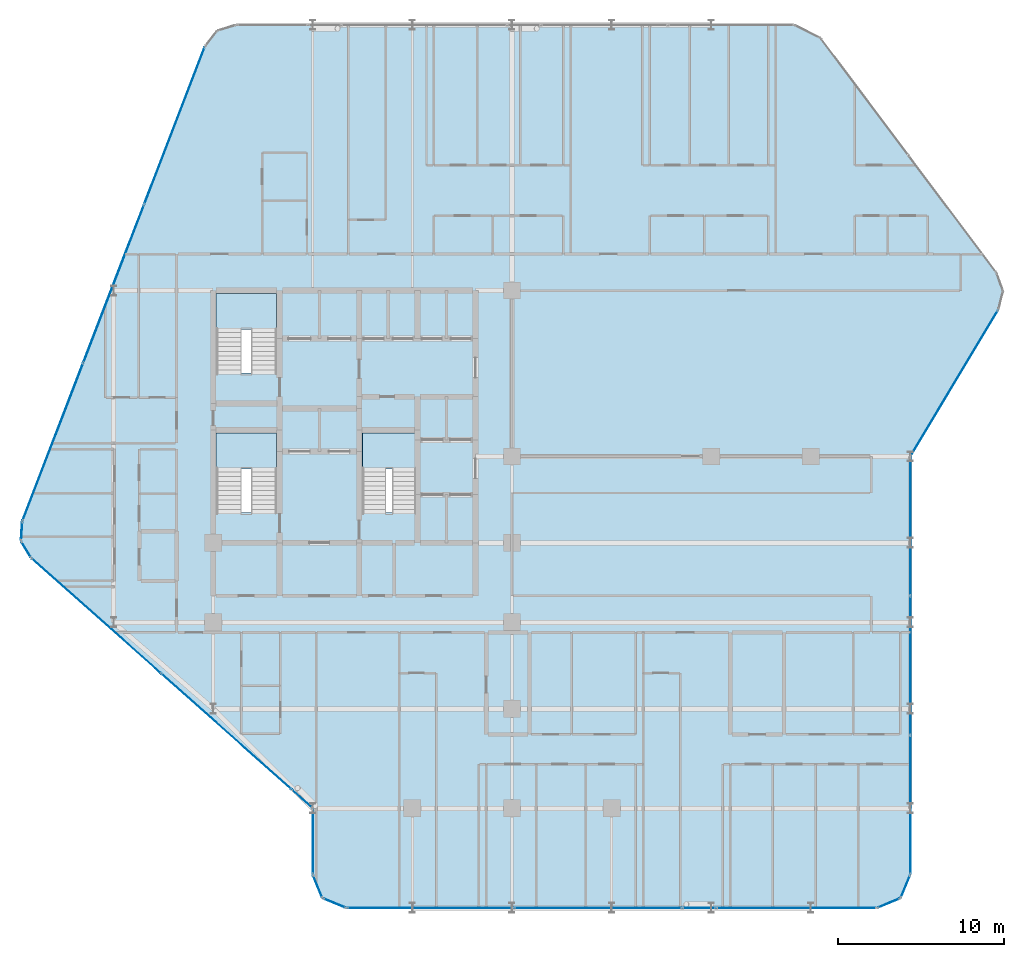
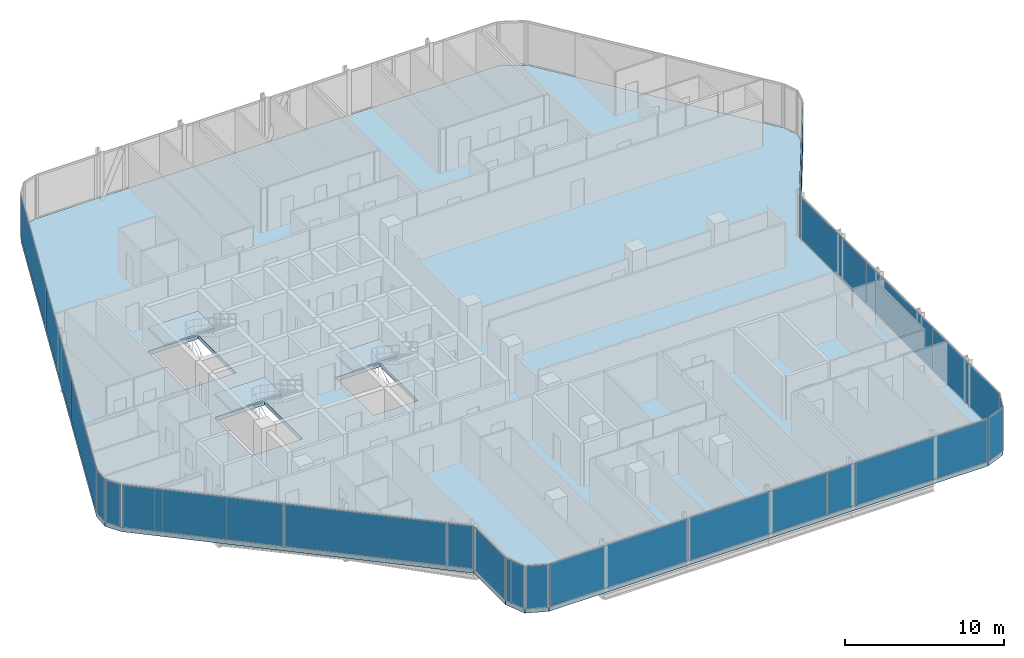
# One storey, part 21 of 29: 21 plates, 4 slabs, 18 elements without a shape of their own.
"""IFC4 building model written with IfcOpenShell, lengths in metres."""

from ifc_helpers import new_model, si_unit, direction, frame, origin, origin_2d, place, context, subcontext, project, spatial, polyline, rectangle, outline, extrude, material, layer, layer_set, type_object, element, aggregate, save


model = new_model("IFC4")

# Units and contexts
model_context = context("Model", 3, precision=1e-05, world=origin(), true_north=direction((0.0, 1.0)))
body_context = subcontext(model_context, "Body", "Model", "MODEL_VIEW")
ifc_project = project(units=[si_unit("LENGTHUNIT", "METRE"), si_unit("AREAUNIT", "SQUARE_METRE"), si_unit("VOLUMEUNIT", "CUBIC_METRE"), si_unit("PLANEANGLEUNIT", "RADIAN"), si_unit("MASSUNIT", "GRAM", prefix="KILO")], contexts=[model_context])

# Site, building, storey
site_placement = place(None, origin())
site = spatial("IfcSite", under=ifc_project, at=site_placement, CompositionType="ELEMENT")
building_placement = place(site_placement, origin())
building = spatial("IfcBuilding", under=site, at=building_placement, Name="Keshet Zoharim Tower", CompositionType="ELEMENT")
storey_placement = place(building_placement, frame((0.0, 0.0, 105.699951171875)))
storey = spatial("IfcBuildingStorey", under=building, at=storey_placement, Name="L25", CompositionType="ELEMENT", Elevation=105.699951171875)

# Curtain wall, plate
ifc_material_1 = material(Name="Aluminium 6063-T6", Category="aluminium")
ifc_layer_1 = layer(ifc_material_1, 0.159912109375)
ifc_layer_set_1 = layer_set([ifc_layer_1], Name="Aluminium 6063-T6")
curtain_wall_type = type_object("IfcCurtainWallType", Name="CW-SYS-03", PredefinedType="NOTDEFINED", material=ifc_layer_set_1)
curtain_wall_1_placement = place(storey_placement, origin())
curtain_wall_1 = element("IfcCurtainWall", 1, at=curtain_wall_1_placement, inside=storey, type_object=curtain_wall_type, Name="L25 Unitised Curtain Wall 01", PredefinedType="NOTDEFINED")
ifc_material_2 = material(Name="Insulated Low-E Clear Glass", Category="glass")
ifc_layer_2 = layer(ifc_material_2, 0.035888671875)
ifc_layer_set_2 = layer_set([ifc_layer_2], Name="Insulated Low-E Clear Glass")
plate_type_1 = type_object("IfcPlateType", Name="CWP-01", PredefinedType="CURTAIN_PANEL", material=ifc_layer_set_2)
plate_1_placement = place(storey_placement, frame((56.70703125, 1.992919921875, 0.070068359375), z_axis=(0.0, 0.0, 1.0), x_axis=(-0.382851849847, -0.92380975372, 0.0)))
plate_1 = element("IfcPlate", 2, at=plate_1_placement, type_object=plate_type_1, Name="CW-03 panel 1.1", PredefinedType="CURTAIN_PANEL", context=body_context, shape_type="SweptSolid", body=[
    extrude(rectangle(XDim=1.390625, YDim=0.035888671875, at=origin_2d()), origin(), (0.0, 0.0, 1.0), 3.2451171875),
])
aggregate(curtain_wall_1, [plate_1])

curtain_wall_2_placement = place(storey_placement, origin())
curtain_wall_2 = element("IfcCurtainWall", 3, at=curtain_wall_2_placement, inside=storey, type_object=curtain_wall_type, Name="L25 Unitised Curtain Wall 02", PredefinedType="NOTDEFINED")
plate_2_placement = place(storey_placement, frame((55.70703125, 0.992919921875, 0.070068359375), z_axis=(0.0, 0.0, 1.0), x_axis=(-0.92380975372, -0.382851849847, 0.0)))
plate_2 = element("IfcPlate", 4, at=plate_2_placement, type_object=plate_type_1, Name="CW-03 panel 1.1", PredefinedType="CURTAIN_PANEL", context=body_context, shape_type="SweptSolid", body=[
    extrude(rectangle(XDim=1.390625, YDim=0.035888671875, at=origin_2d()), origin(), (0.0, 0.0, 1.0), 3.2451171875),
])
aggregate(curtain_wall_2, [plate_2])

curtain_wall_3_placement = place(storey_placement, origin())
curtain_wall_3 = element("IfcCurtainWall", 5, at=curtain_wall_3_placement, inside=storey, type_object=curtain_wall_type, Name="L25 Unitised Curtain Wall 03", PredefinedType="NOTDEFINED")
plate_3_placement = place(storey_placement, frame((50.13134765625, 0.699951171875, 0.070068359375), z_axis=(0.0, 0.0, 1.0), x_axis=(-1.0, 0.0, 0.0)))
plate_3 = element("IfcPlate", 6, at=plate_3_placement, type_object=plate_type_1, Name="CW-03 panel 1.1", PredefinedType="CURTAIN_PANEL", context=body_context, shape_type="SweptSolid", body=[
    extrude(rectangle(XDim=9.597412109375, YDim=0.035888671875, at=origin_2d()), origin(), (0.0, 0.0, 1.0), 3.2451171875),
])
aggregate(curtain_wall_3, [plate_3])

# Curtain wall, plates
curtain_wall_4_placement = place(storey_placement, origin())
curtain_wall_4 = element("IfcCurtainWall", 7, at=curtain_wall_4_placement, inside=storey, type_object=curtain_wall_type, Name="L25 Unitised Curtain Wall 03 Part 3", PredefinedType="NOTDEFINED")
plate_4_placement = place(storey_placement, frame((38.195556640625, 0.699951171875, 0.070068359375), z_axis=(0.0, 0.0, 1.0), x_axis=(-1.0, 0.0, 0.0)))
plate_4 = element("IfcPlate", 8, at=plate_4_placement, type_object=plate_type_1, Name="CW-03 panel 1.1", PredefinedType="CURTAIN_PANEL", context=body_context, shape_type="SweptSolid", body=[
    extrude(rectangle(XDim=10.083740234375, YDim=0.035888671875, at=origin_2d()), origin(), (0.0, 0.0, 1.0), 3.2451171875),
])
plate_5_placement = place(storey_placement, frame((28.076904296875, 0.699951171875, 0.070068359375), z_axis=(0.0, 0.0, 1.0), x_axis=(-1.0, 0.0, 0.0)))
plate_5 = element("IfcPlate", 9, at=plate_5_placement, type_object=plate_type_1, Name="CW-03 panel 2.1", PredefinedType="CURTAIN_PANEL", context=body_context, shape_type="SweptSolid", body=[
    extrude(rectangle(XDim=10.013671875, YDim=0.035888671875, at=origin_2d()), origin(), (0.0, 0.0, 1.0), 3.2451171875),
])
aggregate(curtain_wall_4, [plate_4, plate_5])

# Curtain wall, plate
curtain_wall_5_placement = place(storey_placement, origin())
curtain_wall_5 = element("IfcCurtainWall", 10, at=curtain_wall_5_placement, inside=storey, type_object=curtain_wall_type, Name="L25 Unitised Curtain Wall 04", PredefinedType="NOTDEFINED")
plate_6_placement = place(storey_placement, frame((22.29296875, 0.992919921875, 0.070068359375), z_axis=(0.0, 0.0, 1.0), x_axis=(-0.92380975372, 0.382851849847, 0.0)))
plate_6 = element("IfcPlate", 11, at=plate_6_placement, type_object=plate_type_1, Name="CW-03 panel 1.1", PredefinedType="CURTAIN_PANEL", context=body_context, shape_type="SweptSolid", body=[
    extrude(rectangle(XDim=1.390625, YDim=0.035888671875, at=origin_2d()), origin(), (0.0, 0.0, 1.0), 3.2451171875),
])
aggregate(curtain_wall_5, [plate_6])

curtain_wall_6_placement = place(storey_placement, origin())
curtain_wall_6 = element("IfcCurtainWall", 12, at=curtain_wall_6_placement, inside=storey, type_object=curtain_wall_type, Name="L25 Unitised Curtain Wall 05", PredefinedType="NOTDEFINED")
plate_7_placement = place(storey_placement, frame((21.29296875, 1.992919921875, 0.070068359375), z_axis=(0.0, 0.0, 1.0), x_axis=(-0.382851849847, 0.92380975372, 0.0)))
plate_7 = element("IfcPlate", 13, at=plate_7_placement, type_object=plate_type_1, Name="CW-03 panel 1.1", PredefinedType="CURTAIN_PANEL", context=body_context, shape_type="SweptSolid", body=[
    extrude(rectangle(XDim=1.390625, YDim=0.035888671875, at=origin_2d()), origin(), (0.0, 0.0, 1.0), 3.2451171875),
])
aggregate(curtain_wall_6, [plate_7])

curtain_wall_7_placement = place(storey_placement, origin())
curtain_wall_7 = element("IfcCurtainWall", 14, at=curtain_wall_7_placement, inside=storey, type_object=curtain_wall_type, Name="L25 Unitised Curtain Wall 06", PredefinedType="NOTDEFINED")
plate_8_placement = place(storey_placement, frame((21.0, 4.699951171875, 0.070068359375), z_axis=(0.0, 0.0, 1.0), x_axis=(0.0, 1.0, 0.0)))
plate_8 = element("IfcPlate", 15, at=plate_8_placement, type_object=plate_type_1, Name="CW-03 panel 1.1", PredefinedType="CURTAIN_PANEL", context=body_context, shape_type="SweptSolid", body=[
    extrude(rectangle(XDim=3.860107421875, YDim=0.035888671875, at=origin_2d()), origin(), (0.0, 0.0, 1.0), 3.2451171875),
])
aggregate(curtain_wall_7, [plate_8])

# Curtain wall, plates
curtain_wall_8_placement = place(storey_placement, origin())
curtain_wall_8 = element("IfcCurtainWall", 16, at=curtain_wall_8_placement, inside=storey, type_object=curtain_wall_type, Name="L25 Unitised Curtain Wall 07 Part 2", PredefinedType="NOTDEFINED")
plate_9_placement = place(storey_placement, frame((15.78515625, 11.33544921875, 0.070068359375), z_axis=(0.0, 0.0, 1.0), x_axis=(-0.747409055186, 0.664364135264, 0.0)))
plate_9 = element("IfcPlate", 17, at=plate_9_placement, type_object=plate_type_1, Name="CW-03 panel 1.1", PredefinedType="CURTAIN_PANEL", context=body_context, shape_type="SweptSolid", body=[
    extrude(rectangle(XDim=10.43408203125, YDim=0.035888671875, at=origin_2d()), origin(), (0.0, 0.0, 1.0), 3.2451171875),
])
plate_10_placement = place(storey_placement, frame((7.96044921875, 18.290771484375, 0.070068359375), z_axis=(0.0, 0.0, 1.0), x_axis=(-0.747409055186, 0.664364135264, 0.0)))
plate_10 = element("IfcPlate", 18, at=plate_10_placement, type_object=plate_type_1, Name="CW-03 panel 2.1", PredefinedType="CURTAIN_PANEL", context=body_context, shape_type="SweptSolid", body=[
    extrude(rectangle(XDim=10.364013671875, YDim=0.035888671875, at=origin_2d()), origin(), (0.0, 0.0, 1.0), 3.2451171875),
])
aggregate(curtain_wall_8, [plate_9, plate_10])

# Curtain wall, plate
curtain_wall_9_placement = place(storey_placement, origin())
curtain_wall_9 = element("IfcCurtainWall", 19, at=curtain_wall_9_placement, inside=storey, type_object=curtain_wall_type, Name="L25 Unitised Curtain Wall 08", PredefinedType="NOTDEFINED")
plate_11_placement = place(storey_placement, frame((3.7275390625, 22.291015625, 0.070068359375), z_axis=(0.0, 0.0, 1.0), x_axis=(-0.515604947933, 0.856826433805, 0.0)))
plate_11 = element("IfcPlate", 20, at=plate_11_placement, type_object=plate_type_1, Name="CW-03 panel 1.1", PredefinedType="CURTAIN_PANEL", context=body_context, shape_type="SweptSolid", body=[
    extrude(rectangle(XDim=1.052734375, YDim=0.035888671875, at=origin_2d()), origin(), (0.0, 0.0, 1.0), 3.2451171875),
])
aggregate(curtain_wall_9, [plate_11])

curtain_wall_10_placement = place(storey_placement, origin())
curtain_wall_10 = element("IfcCurtainWall", 21, at=curtain_wall_10_placement, inside=storey, type_object=curtain_wall_type, Name="L25 Unitised Curtain Wall 09", PredefinedType="NOTDEFINED")
plate_12_placement = place(storey_placement, frame((3.45849609375, 23.3974609375, 0.070068359375), z_axis=(0.0, 0.0, 1.0), x_axis=(0.064516859374, 0.997916617186, 0.0)))
plate_12 = element("IfcPlate", 22, at=plate_12_placement, type_object=plate_type_1, Name="CW-03 panel 1.1", PredefinedType="CURTAIN_PANEL", context=body_context, shape_type="SweptSolid", body=[
    extrude(rectangle(XDim=1.053466796875, YDim=0.035888671875, at=origin_2d()), origin(), (0.0, 0.0, 1.0), 3.2451171875),
])
aggregate(curtain_wall_10, [plate_12])

# Curtain wall, plates
curtain_wall_11_placement = place(storey_placement, origin())
curtain_wall_11 = element("IfcCurtainWall", 23, at=curtain_wall_11_placement, inside=storey, type_object=curtain_wall_type, Name="L25 Unitised Curtain Wall 10", PredefinedType="NOTDEFINED")
plate_13_placement = place(storey_placement, frame((5.33837890625, 28.7802734375, 0.070068359375), z_axis=(0.0, 0.0, 1.0), x_axis=(0.358990003907, 0.933341404361, 0.0)))
plate_13 = element("IfcPlate", 24, at=plate_13_placement, type_object=plate_type_1, Name="CW-03 panel 1.1", PredefinedType="CURTAIN_PANEL", context=body_context, shape_type="SweptSolid", body=[
    extrude(rectangle(XDim=10.1181640625, YDim=0.035888671875, at=origin_2d()), origin(), (0.0, 0.0, 1.0), 3.2451171875),
])
plate_14_placement = place(storey_placement, frame((9.001953125, 38.305419921875, 0.070068359375), z_axis=(0.0, 0.0, 1.0), x_axis=(0.358990003907, 0.933341404361, 0.0)))
plate_14 = element("IfcPlate", 25, at=plate_14_placement, type_object=plate_type_1, Name="CW-03 panel 2.1", PredefinedType="CURTAIN_PANEL", context=body_context, shape_type="SweptSolid", body=[
    extrude(rectangle(XDim=10.153076171875, YDim=0.035888671875, at=origin_2d()), origin(), (0.0, 0.0, 1.0), 3.2451171875),
])
plate_15_placement = place(storey_placement, frame((12.665771484375, 47.830810546875, 0.070068359375), z_axis=(0.0, 0.0, 1.0), x_axis=(0.358990003907, 0.933341404361, 0.0)))
plate_15 = element("IfcPlate", 26, at=plate_15_placement, type_object=plate_type_1, Name="CW-03 panel 3.1", PredefinedType="CURTAIN_PANEL", context=body_context, shape_type="SweptSolid", body=[
    extrude(rectangle(XDim=10.1181640625, YDim=0.035888671875, at=origin_2d()), origin(), (0.0, 0.0, 1.0), 3.2451171875),
])
aggregate(curtain_wall_11, [plate_13, plate_14, plate_15])

# Curtain wall, plate
curtain_wall_12_placement = place(storey_placement, origin())
curtain_wall_12 = element("IfcCurtainWall", 27, at=curtain_wall_12_placement, inside=storey, type_object=curtain_wall_type, Name="L25 Unitised Curtain Wall 18", PredefinedType="NOTDEFINED")
plate_16_placement = place(storey_placement, frame((59.654052734375, 32.323486328125, 0.070068359375), z_axis=(0.0, 0.0, 1.0), x_axis=(-0.514481501576, -0.857501477862, 0.0)))
plate_16 = element("IfcPlate", 28, at=plate_16_placement, type_object=plate_type_1, Name="CW-03 panel 1.1", PredefinedType="CURTAIN_PANEL", context=body_context, shape_type="SweptSolid", body=[
    extrude(rectangle(XDim=10.17724609375, YDim=0.035888671875, at=origin_2d()), origin(), (0.0, 0.0, 1.0), 3.2451171875),
])
aggregate(curtain_wall_12, [plate_16])

# Curtain wall, plates
curtain_wall_13_placement = place(storey_placement, origin())
curtain_wall_13 = element("IfcCurtainWall", 29, at=curtain_wall_13_placement, inside=storey, type_object=curtain_wall_type, Name="L25 Unitised Curtain Wall 19", PredefinedType="NOTDEFINED")
ifc_layer_3 = layer(ifc_material_2, 0.031982421875)
ifc_layer_set_3 = layer_set([ifc_layer_3], Name="Insulated Low-E Clear Glass")
plate_type_2 = type_object("IfcPlateType", Name="CWP-02", PredefinedType="CURTAIN_PANEL", material=ifc_layer_set_3)
plate_17_placement = place(storey_placement, frame((57.0, 23.6826171875, 0.070068359375), z_axis=(0.0, 0.0, 1.0), x_axis=(0.0, -1.0, 0.0)))
plate_17 = element("IfcPlate", 30, at=plate_17_placement, type_object=plate_type_2, Name="CW-03 panel 1.1", PredefinedType="CURTAIN_PANEL", context=body_context, shape_type="SweptSolid", body=[
    extrude(rectangle(XDim=8.294921875, YDim=0.031982421875, at=origin_2d()), origin(), (0.0, 0.0, 1.0), 3.2451171875),
])
plate_18_placement = place(storey_placement, frame((57.0, 15.300048828125, 0.070068359375), z_axis=(0.0, 0.0, 1.0), x_axis=(0.0, -1.0, 0.0)))
plate_18 = element("IfcPlate", 31, at=plate_18_placement, type_object=plate_type_2, Name="CW-03 panel 2.1", PredefinedType="CURTAIN_PANEL", context=body_context, shape_type="SweptSolid", body=[
    extrude(rectangle(XDim=8.330078125, YDim=0.031982421875, at=origin_2d()), origin(), (0.0, 0.0, 1.0), 3.2451171875),
])
plate_19_placement = place(storey_placement, frame((57.0, 6.91748046875, 0.070068359375), z_axis=(0.0, 0.0, 1.0), x_axis=(0.0, -1.0, 0.0)))
plate_19 = element("IfcPlate", 32, at=plate_19_placement, type_object=plate_type_2, Name="CW-03 panel 3.1", PredefinedType="CURTAIN_PANEL", context=body_context, shape_type="SweptSolid", body=[
    extrude(rectangle(XDim=8.294921875, YDim=0.031982421875, at=origin_2d()), origin(), (0.0, 0.0, 1.0), 3.2451171875),
])
aggregate(curtain_wall_13, [plate_17, plate_18, plate_19])

# Curtain wall, plate
curtain_wall_14_placement = place(storey_placement, origin())
curtain_wall_14 = element("IfcCurtainWall", 33, at=curtain_wall_14_placement, inside=storey, type_object=curtain_wall_type, Name="L25 Unitised Curtain Wall 03 Part 2", PredefinedType="NOTDEFINED")
ifc_material_3 = material(Name="Insulated Aluminium Spandrel Panel", Category="aluminium")
ifc_layer_4 = layer(ifc_material_3, 0.035888671875)
ifc_layer_set_4 = layer_set([ifc_layer_4], Name="Insulated Aluminium Spandrel Panel")
plate_type_3 = type_object("IfcPlateType", Name="CWP-04", PredefinedType="CURTAIN_PANEL", material=ifc_layer_set_4)
plate_20_placement = place(storey_placement, frame((44.284912109375, 0.699951171875, 0.070068359375), z_axis=(0.0, 0.0, 1.0), x_axis=(-1.0, 0.0, 0.0)))
plate_20 = element("IfcPlate", 34, at=plate_20_placement, type_object=plate_type_3, Name="CW-03 spandrel panel 1.1", PredefinedType="CURTAIN_PANEL", context=body_context, shape_type="SweptSolid", body=[
    extrude(rectangle(XDim=1.955078125, YDim=0.035888671875, at=origin_2d()), origin(), (0.0, 0.0, 1.0), 3.2451171875),
])
aggregate(curtain_wall_14, [plate_20])

curtain_wall_15_placement = place(storey_placement, origin())
curtain_wall_15 = element("IfcCurtainWall", 35, at=curtain_wall_15_placement, inside=storey, type_object=curtain_wall_type, Name="L25 Unitised Curtain Wall 07", PredefinedType="NOTDEFINED")
plate_21_placement = place(storey_placement, frame((20.342041015625, 7.28466796875, 0.070068359375), z_axis=(0.0, 0.0, 1.0), x_axis=(-0.747412452867, 0.664360312857, 0.0)))
plate_21 = element("IfcPlate", 36, at=plate_21_placement, type_object=plate_type_3, Name="CW-03 spandrel panel 1.1", PredefinedType="CURTAIN_PANEL", context=body_context, shape_type="SweptSolid", body=[
    extrude(rectangle(XDim=1.620361328125, YDim=0.035888671875, at=origin_2d()), origin(), (0.0, 0.0, 1.0), 3.2451171875),
])
aggregate(curtain_wall_15, [plate_21])

# Stair, slab
ifc_material_4 = material(Name="Concrete C50/60", Category="concrete")
stair_type = type_object("IfcStairType", Name="STR-EXIT-135", PredefinedType="HALF_TURN_STAIR", material=ifc_material_4)
stair_1_placement = place(storey_placement, origin())
stair_1 = element("IfcStair", 37, at=stair_1_placement, inside=storey, type_object=stair_type, Name="L25 Enclosed Exit Stair ST-01", PredefinedType="HALF_TURN_STAIR")
ifc_layer_5 = layer(ifc_material_4, 0.199951171875)
ifc_layer_set_5 = layer_set([ifc_layer_5], Name="Concrete C50/60")
slab_type_1 = type_object("IfcSlabType", Name="SLB-LND-200", PredefinedType="LANDING", material=ifc_layer_set_5)
slab_1_placement = place(storey_placement, frame((0.0, 0.0, 1.650146484375)))
slab_1 = element("IfcSlab", 38, at=slab_1_placement, type_object=slab_type_1, Name="ST-01 landing 1", PredefinedType="LANDING", context=body_context, shape_type="SweptSolid", body=[
    extrude(outline(polyline([(15.179931640625, 27.159912109375), (18.820068359375, 27.159912109375), (18.820068359375, 29.320068359375), (15.179931640625, 29.320068359375), (15.179931640625, 27.159912109375)])), origin(), (0.0, 0.0, 1.0), 0.199951171875),
])
aggregate(stair_1, [slab_1])

stair_2_placement = place(storey_placement, origin())
stair_2 = element("IfcStair", 39, at=stair_2_placement, inside=storey, type_object=stair_type, Name="L25 Enclosed Exit Stair ST-02", PredefinedType="HALF_TURN_STAIR")
slab_2_placement = place(storey_placement, frame((0.0, 0.0, 1.650146484375)))
slab_2 = element("IfcSlab", 40, at=slab_2_placement, type_object=slab_type_1, Name="ST-02 landing 1", PredefinedType="LANDING", context=body_context, shape_type="SweptSolid", body=[
    extrude(outline(polyline([(15.179931640625, 35.56005859375), (18.820068359375, 35.56005859375), (18.820068359375, 37.719970703125), (15.179931640625, 37.719970703125), (15.179931640625, 35.56005859375)])), origin(), (0.0, 0.0, 1.0), 0.199951171875),
])
aggregate(stair_2, [slab_2])

stair_3_placement = place(storey_placement, origin())
stair_3 = element("IfcStair", 41, at=stair_3_placement, inside=storey, type_object=stair_type, Name="L25 Enclosed Exit Stair ST-03", PredefinedType="HALF_TURN_STAIR")
slab_3_placement = place(storey_placement, frame((0.0, 0.0, 1.650146484375)))
slab_3 = element("IfcSlab", 42, at=slab_3_placement, type_object=slab_type_1, Name="ST-03 landing 1", PredefinedType="LANDING", context=body_context, shape_type="SweptSolid", body=[
    extrude(outline(polyline([(23.97998046875, 27.159912109375), (27.219970703125, 27.159912109375), (27.219970703125, 29.320068359375), (23.97998046875, 29.320068359375), (23.97998046875, 27.159912109375)])), origin(), (0.0, 0.0, 1.0), 0.199951171875),
])
aggregate(stair_3, [slab_3])

# Slab
ifc_layer_6 = layer(ifc_material_4, 0.31494140625)
ifc_layer_set_6 = layer_set([ifc_layer_6], Name="Concrete C50/60")
slab_type_2 = type_object("IfcSlabType", Name="SLB-LOW-260", PredefinedType="FLOOR", material=ifc_layer_set_6)
slab_4_placement = place(storey_placement, frame((0.0, 0.0, -0.31494140625)))
element("IfcSlab", 43, at=slab_4_placement, inside=storey, type_object=slab_type_2, Name="L25 Structural Floor Slab 1", PredefinedType="FLOOR", context=body_context, shape_type="SweptSolid", body=[
    extrude(outline(polyline([(57.0, 2.699951171875), (56.4140625, 1.285888671875), (55.0, 0.699951171875), (23.0, 0.699951171875), (21.5859375, 1.285888671875), (21.0, 2.699951171875), (21.0, 6.699951171875), (4.034912109375, 21.780029296875), (3.419921875, 22.802001953125), (3.4970703125, 23.992919921875), (14.507080078125, 52.617919921875), (15.240966796875, 53.549072265625), (16.3740234375, 53.89990234375), (50.0, 53.89990234375), (51.60009765625, 53.10009765625), (62.193115234375, 38.97607421875), (62.590087890625, 37.87890625), (62.30810546875, 36.7470703125), (57.0, 27.89990234375), (57.0, 2.699951171875)]), holes=[polyline([(15.179931640625, 24.52001953125), (18.820068359375, 24.52001953125), (18.820068359375, 29.320068359375), (15.179931640625, 29.320068359375), (15.179931640625, 24.52001953125)]), polyline([(15.179931640625, 32.919921875), (18.820068359375, 32.919921875), (18.820068359375, 37.719970703125), (15.179931640625, 37.719970703125), (15.179931640625, 32.919921875)]), polyline([(23.97998046875, 24.52001953125), (27.219970703125, 24.52001953125), (27.219970703125, 29.320068359375), (23.97998046875, 29.320068359375), (23.97998046875, 24.52001953125)])]), origin(), (0.0, 0.0, 1.0), 0.31494140625),
])

save(model, "model.ifc")
